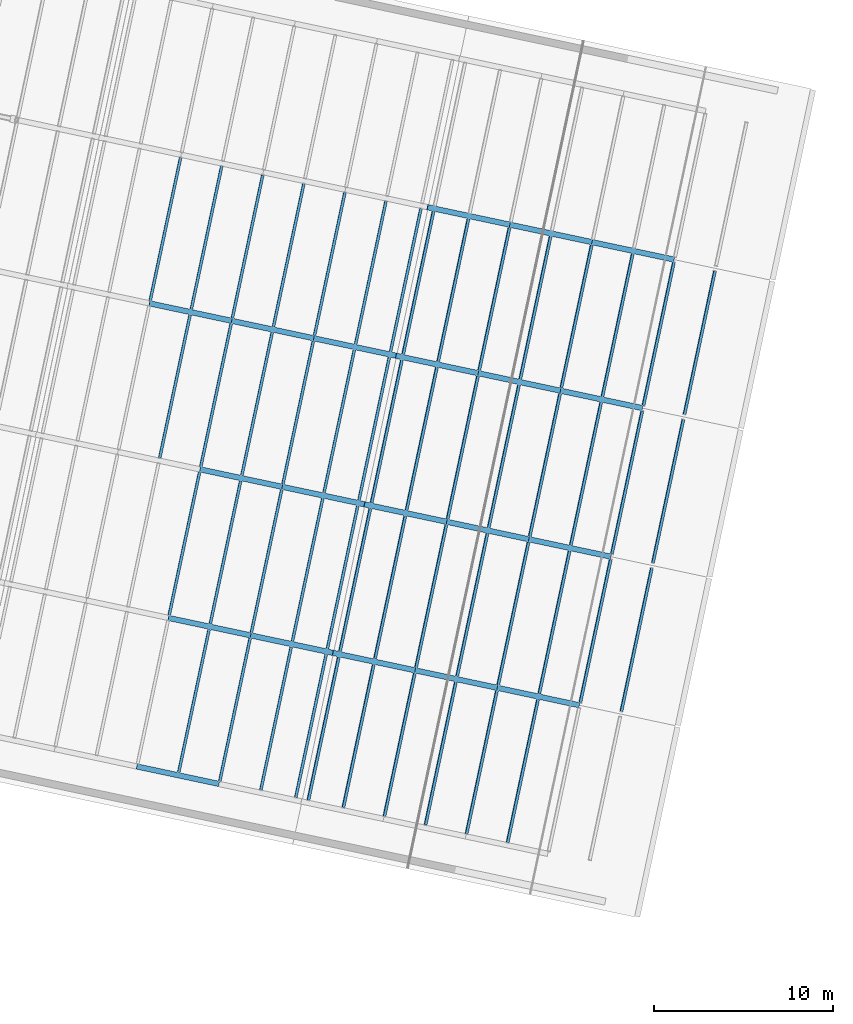
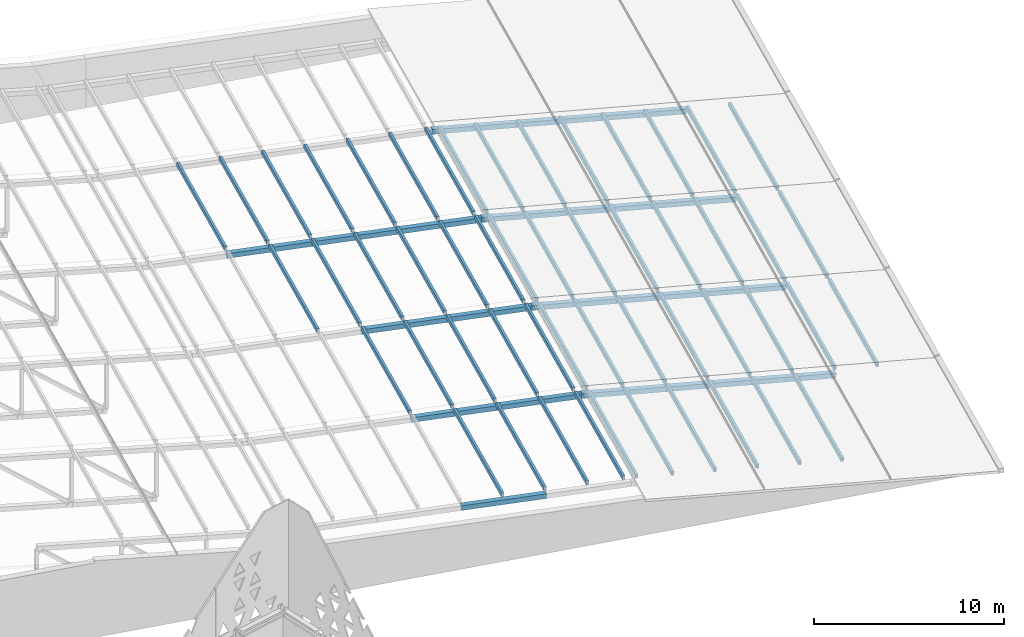
# One storey, part 54 of 196: 72 members.
"""IFC4 building model written with IfcOpenShell, lengths in metres."""

from ifc_helpers import new_model, si_unit, direction, frame, origin, origin_2d, place, context, subcontext, project, spatial, hollow_rectangle, extrude, material, material_profile, profile_set, type_object, element, save


model = new_model("IFC4")

# Units and contexts
model_context = context("Model", 3, precision=1e-05, world=origin(), true_north=direction((0.0, 1.0)))
body_context = subcontext(model_context, "Body", "Model", "MODEL_VIEW")
ifc_project = project(units=[si_unit("LENGTHUNIT", "METRE"), si_unit("AREAUNIT", "SQUARE_METRE"), si_unit("VOLUMEUNIT", "CUBIC_METRE"), si_unit("PLANEANGLEUNIT", "RADIAN"), si_unit("MASSUNIT", "GRAM", prefix="KILO")], contexts=[model_context])

# Site, building, storey
site_placement = place(None, origin())
site = spatial("IfcSite", under=ifc_project, at=site_placement, CompositionType="ELEMENT")
building_placement = place(site_placement, origin())
building = spatial("IfcBuilding", under=site, at=building_placement, Name="Okhra Congress Centre", CompositionType="ELEMENT")
storey_placement = place(building_placement, frame((0.0, 0.0, 12.0)))
storey = spatial("IfcBuildingStorey", under=building, at=storey_placement, Name="L02", CompositionType="ELEMENT", Elevation=12.0)

# Members
ifc_material = material(Name="Steel S355J2", Category="steel")
ifc_material_profile_1 = material_profile(ifc_material, hollow_rectangle(XDim=0.14990234375, YDim=0.25, WallThickness=0.008056640625, at=origin_2d()), Name="RHS 250x150x8")
ifc_profile_set_1 = profile_set([ifc_material_profile_1], Name="Steel S355J2")
member_type_1 = type_object("IfcMemberType", Name="Steel roof purlin RHS 250x150x8", PredefinedType="PURLIN", material=ifc_profile_set_1)
member_1_placement = place(storey_placement, frame((229.87744140625, 89.46630859375, 2.6025390625), z_axis=(0.207908251916, 0.978148331689, 0.0), x_axis=(-0.976807813395, 0.207623320882, 0.052335956243)))
element("IfcMember", 1, at=member_1_placement, inside=storey, type_object=member_type_1, Name="Roof purlin 1.15", PredefinedType="PURLIN", context=body_context, shape_type="SweptSolid", body=[
    extrude(hollow_rectangle(XDim=0.14990234375, YDim=0.25, WallThickness=0.008056640625, at=origin_2d()), origin(), (0.0, 0.0, 1.0), 8.199951171875),
])
member_2_placement = place(storey_placement, frame((232.176025390625, 88.9775390625, 2.479248046875), z_axis=(0.2079021972, 0.978149618616, 0.0), x_axis=(-0.976809098559, 0.207617274464, 0.052335956243)))
element("IfcMember", 2, at=member_2_placement, inside=storey, type_object=member_type_1, Name="Roof purlin 1.16", PredefinedType="PURLIN", context=body_context, shape_type="SweptSolid", body=[
    extrude(hollow_rectangle(XDim=0.14990234375, YDim=0.25, WallThickness=0.008056640625, at=origin_2d()), origin(), (0.0, 0.0, 1.0), 8.2001953125),
])
for number, where, z_axis, x_axis, name in (
    (3, (234.474609375, 88.489013671875, 2.356201171875), (0.207908251916, 0.978148331689, 0.0), (-0.976807813395, 0.207623320882, 0.052335956243), "Roof purlin 1.17"),
    (4, (236.430908203125, 88.0732421875, 2.251220703125), (0.207908251916, 0.978148331689, 0.0), (-0.976807813395, 0.207623320882, 0.052335956243), "Roof purlin 1.18"),
    (5, (237.13427734375, 87.923828125, 2.188232421875), (0.207936738153, 0.978142276423, 0.0), (-0.970851352222, 0.206386809239, 0.121869343405), "Roof purlin 1.19"),
):
    element("IfcMember", number, at=place(storey_placement, frame(where, z_axis=z_axis, x_axis=x_axis)), inside=storey, type_object=member_type_1, Name=name, PredefinedType="PURLIN", context=body_context, shape_type="SweptSolid", body=[
        extrude(hollow_rectangle(XDim=0.14990234375, YDim=0.25, WallThickness=0.008056640625, at=origin_2d()), origin(), (0.0, 0.0, 1.0), 8.199951171875),
    ])
member_3_placement = place(storey_placement, frame((239.090576171875, 87.5078125, 1.94287109375), z_axis=(0.207930682682, 0.978143563696, 0.0), x_axis=(-0.970852629899, 0.206380798905, 0.121869343405)))
element("IfcMember", 6, at=member_3_placement, inside=storey, type_object=member_type_1, Name="Roof purlin 1.20", PredefinedType="PURLIN", context=body_context, shape_type="SweptSolid", body=[
    extrude(hollow_rectangle(XDim=0.14990234375, YDim=0.25, WallThickness=0.008056640625, at=origin_2d()), origin(), (0.0, 0.0, 1.0), 8.2001953125),
])
for number, where, z_axis, x_axis, name in (
    (7, (241.389404296875, 87.019287109375, 1.654296875), (0.207908251916, 0.978148331689, 0.0), (-0.970857362352, 0.206358535333, 0.121869343405), "Roof purlin 1.21"),
    (8, (243.68798828125, 86.53076171875, 1.36572265625), (0.207908251916, 0.978148331689, 0.0), (-0.970857362352, 0.206358535333, 0.121869343405), "Roof purlin 1.22"),
    (9, (245.986572265625, 86.042236328125, 1.0771484375), (0.207908251916, 0.978148331689, 0.0), (-0.970857362352, 0.206358535333, 0.121869343405), "Roof purlin 1.23"),
):
    element("IfcMember", number, at=place(storey_placement, frame(where, z_axis=z_axis, x_axis=x_axis)), inside=storey, type_object=member_type_1, Name=name, PredefinedType="PURLIN", context=body_context, shape_type="SweptSolid", body=[
        extrude(hollow_rectangle(XDim=0.14990234375, YDim=0.25, WallThickness=0.008056640625, at=origin_2d()), origin(), (0.0, 0.0, 1.0), 8.199951171875),
    ])
member_4_placement = place(storey_placement, frame((248.28515625, 85.553466796875, 0.78857421875), z_axis=(0.207930682682, 0.978143563696, 0.0), x_axis=(-0.970852629899, 0.206380798905, 0.121869343405)))
element("IfcMember", 10, at=member_4_placement, inside=storey, type_object=member_type_1, Name="Roof purlin 1.24", PredefinedType="PURLIN", context=body_context, shape_type="SweptSolid", body=[
    extrude(hollow_rectangle(XDim=0.14990234375, YDim=0.25, WallThickness=0.008056640625, at=origin_2d()), origin(), (0.0, 0.0, 1.0), 8.2001953125),
])
for number, where, z_axis, x_axis, name in (
    (11, (229.345947265625, 98.26904296875, 2.7255859375), (0.207908251916, 0.978148331689, 0.0), (-0.976807813395, 0.207623320882, 0.052335956243), "Roof purlin 2.14"),
    (12, (231.64453125, 97.780517578125, 2.6025390625), (0.207936738153, 0.978142276423, 0.0), (-0.976801766428, 0.20765176808, 0.052335956243), "Roof purlin 2.15"),
    (13, (233.943359375, 97.2919921875, 2.479248046875), (0.207908251916, 0.978148331689, 0.0), (-0.976807813395, 0.207623320882, 0.052335956243), "Roof purlin 2.16"),
):
    element("IfcMember", number, at=place(storey_placement, frame(where, z_axis=z_axis, x_axis=x_axis)), inside=storey, type_object=member_type_1, Name=name, PredefinedType="PURLIN", context=body_context, shape_type="SweptSolid", body=[
        extrude(hollow_rectangle(XDim=0.14990234375, YDim=0.25, WallThickness=0.008056640625, at=origin_2d()), origin(), (0.0, 0.0, 1.0), 8.199951171875),
    ])
member_5_placement = place(storey_placement, frame((236.241943359375, 96.80322265625, 2.356201171875), z_axis=(0.2079021972, 0.978149618616, 0.0), x_axis=(-0.976809098559, 0.207617274464, 0.052335956243)))
element("IfcMember", 14, at=member_5_placement, inside=storey, type_object=member_type_1, Name="Roof purlin 2.17", PredefinedType="PURLIN", context=body_context, shape_type="SweptSolid", body=[
    extrude(hollow_rectangle(XDim=0.14990234375, YDim=0.25, WallThickness=0.008056640625, at=origin_2d()), origin(), (0.0, 0.0, 1.0), 8.2001953125),
])
for number, where, z_axis, x_axis, name in (
    (15, (238.1982421875, 96.387451171875, 2.251220703125), (0.207908251916, 0.978148331689, 0.0), (-0.976807813395, 0.207623320882, 0.052335956243), "Roof purlin 2.18"),
    (16, (238.901611328125, 96.238037109375, 2.188232421875), (0.207908251916, 0.978148331689, 0.0), (-0.970857362352, 0.206358535333, 0.121869343405), "Roof purlin 2.19"),
    (17, (240.85791015625, 95.822265625, 1.94287109375), (0.207908251916, 0.978148331689, 0.0), (-0.970857362352, 0.206358535333, 0.121869343405), "Roof purlin 2.20"),
):
    element("IfcMember", number, at=place(storey_placement, frame(where, z_axis=z_axis, x_axis=x_axis)), inside=storey, type_object=member_type_1, Name=name, PredefinedType="PURLIN", context=body_context, shape_type="SweptSolid", body=[
        extrude(hollow_rectangle(XDim=0.14990234375, YDim=0.25, WallThickness=0.008056640625, at=origin_2d()), origin(), (0.0, 0.0, 1.0), 8.199951171875),
    ])
member_6_placement = place(storey_placement, frame((243.156494140625, 95.33349609375, 1.654296875), z_axis=(0.2079021972, 0.978149618616, 0.0), x_axis=(-0.970858639687, 0.206352525748, 0.121869343405)))
element("IfcMember", 18, at=member_6_placement, inside=storey, type_object=member_type_1, Name="Roof purlin 2.21", PredefinedType="PURLIN", context=body_context, shape_type="SweptSolid", body=[
    extrude(hollow_rectangle(XDim=0.14990234375, YDim=0.25, WallThickness=0.008056640625, at=origin_2d()), origin(), (0.0, 0.0, 1.0), 8.2001953125),
])
for number, where, z_axis, x_axis, name in (
    (19, (245.455078125, 94.844970703125, 1.36572265625), (0.207936738153, 0.978142276423, 0.0), (-0.970851352222, 0.206386809239, 0.121869343405), "Roof purlin 2.22"),
    (20, (247.75390625, 94.3564453125, 1.0771484375), (0.207908251916, 0.978148331689, 0.0), (-0.970857362352, 0.206358535333, 0.121869343405), "Roof purlin 2.23"),
):
    element("IfcMember", number, at=place(storey_placement, frame(where, z_axis=z_axis, x_axis=x_axis)), inside=storey, type_object=member_type_1, Name=name, PredefinedType="PURLIN", context=body_context, shape_type="SweptSolid", body=[
        extrude(hollow_rectangle(XDim=0.14990234375, YDim=0.25, WallThickness=0.008056640625, at=origin_2d()), origin(), (0.0, 0.0, 1.0), 8.199951171875),
    ])
member_7_placement = place(storey_placement, frame((250.052490234375, 93.86767578125, 0.78857421875), z_axis=(0.2079021972, 0.978149618616, 0.0), x_axis=(-0.970858639687, 0.206352525748, 0.121869343405)))
element("IfcMember", 21, at=member_7_placement, inside=storey, type_object=member_type_1, Name="Roof purlin 2.24", PredefinedType="PURLIN", context=body_context, shape_type="SweptSolid", body=[
    extrude(hollow_rectangle(XDim=0.14990234375, YDim=0.25, WallThickness=0.008056640625, at=origin_2d()), origin(), (0.0, 0.0, 1.0), 8.2001953125),
])
for number, where, z_axis, x_axis, name in (
    (22, (252.35107421875, 93.379150390625, 0.5), (0.207908251916, 0.978148331689, 0.0), (-0.970857362352, 0.206358535333, 0.121869343405), "Roof purlin 2.25"),
    (23, (254.64990234375, 92.890625, 0.21142578125), (0.207908251916, 0.978148331689, 0.0), (-0.970857362352, 0.206358535333, 0.121869343405), "Roof purlin 2.26"),
    (24, (228.814453125, 107.072021484375, 2.848876953125), (0.207936738153, 0.978142276423, 0.0), (-0.976801766428, 0.20765176808, 0.052335956243), "Roof purlin 3.13"),
):
    element("IfcMember", number, at=place(storey_placement, frame(where, z_axis=z_axis, x_axis=x_axis)), inside=storey, type_object=member_type_1, Name=name, PredefinedType="PURLIN", context=body_context, shape_type="SweptSolid", body=[
        extrude(hollow_rectangle(XDim=0.14990234375, YDim=0.25, WallThickness=0.008056640625, at=origin_2d()), origin(), (0.0, 0.0, 1.0), 8.199951171875),
    ])
member_8_placement = place(storey_placement, frame((231.11328125, 106.583251953125, 2.7255859375), z_axis=(0.2079021972, 0.978149618616, 0.0), x_axis=(-0.976809098559, 0.207617274464, 0.052335956243)))
element("IfcMember", 25, at=member_8_placement, inside=storey, type_object=member_type_1, Name="Roof purlin 3.14", PredefinedType="PURLIN", context=body_context, shape_type="SweptSolid", body=[
    extrude(hollow_rectangle(XDim=0.14990234375, YDim=0.25, WallThickness=0.008056640625, at=origin_2d()), origin(), (0.0, 0.0, 1.0), 8.2001953125),
])
for number, where, z_axis, x_axis, name in (
    (26, (233.411865234375, 106.0947265625, 2.6025390625), (0.207908251916, 0.978148331689, 0.0), (-0.976807813395, 0.207623320882, 0.052335956243), "Roof purlin 3.15"),
    (27, (235.71044921875, 105.606201171875, 2.479248046875), (0.207908251916, 0.978148331689, 0.0), (-0.976807813395, 0.207623320882, 0.052335956243), "Roof purlin 3.16"),
    (28, (238.00927734375, 105.11767578125, 2.356201171875), (0.207908251916, 0.978148331689, 0.0), (-0.976807813395, 0.207623320882, 0.052335956243), "Roof purlin 3.17"),
):
    element("IfcMember", number, at=place(storey_placement, frame(where, z_axis=z_axis, x_axis=x_axis)), inside=storey, type_object=member_type_1, Name=name, PredefinedType="PURLIN", context=body_context, shape_type="SweptSolid", body=[
        extrude(hollow_rectangle(XDim=0.14990234375, YDim=0.25, WallThickness=0.008056640625, at=origin_2d()), origin(), (0.0, 0.0, 1.0), 8.199951171875),
    ])
member_9_placement = place(storey_placement, frame((239.96533203125, 104.70166015625, 2.251220703125), z_axis=(0.207930682682, 0.978143563696, 0.0), x_axis=(-0.976803051937, 0.207645720908, 0.052335956243)))
element("IfcMember", 29, at=member_9_placement, inside=storey, type_object=member_type_1, Name="Roof purlin 3.18", PredefinedType="PURLIN", context=body_context, shape_type="SweptSolid", body=[
    extrude(hollow_rectangle(XDim=0.14990234375, YDim=0.25, WallThickness=0.008056640625, at=origin_2d()), origin(), (0.0, 0.0, 1.0), 8.2001953125),
])
for number, where, z_axis, x_axis, name in (
    (30, (240.6689453125, 104.55224609375, 2.188232421875), (0.207908251916, 0.978148331689, 0.0), (-0.970857362352, 0.206358535333, 0.121869343405), "Roof purlin 3.19"),
    (31, (242.625244140625, 104.136474609375, 1.94287109375), (0.207908251916, 0.978148331689, 0.0), (-0.970857362352, 0.206358535333, 0.121869343405), "Roof purlin 3.20"),
):
    element("IfcMember", number, at=place(storey_placement, frame(where, z_axis=z_axis, x_axis=x_axis)), inside=storey, type_object=member_type_1, Name=name, PredefinedType="PURLIN", context=body_context, shape_type="SweptSolid", body=[
        extrude(hollow_rectangle(XDim=0.14990234375, YDim=0.25, WallThickness=0.008056640625, at=origin_2d()), origin(), (0.0, 0.0, 1.0), 8.199951171875),
    ])
member_10_placement = place(storey_placement, frame((244.923828125, 103.647705078125, 1.654296875), z_axis=(0.2079021972, 0.978149618616, 0.0), x_axis=(-0.970858639687, 0.206352525748, 0.121869343405)))
element("IfcMember", 32, at=member_10_placement, inside=storey, type_object=member_type_1, Name="Roof purlin 3.21", PredefinedType="PURLIN", context=body_context, shape_type="SweptSolid", body=[
    extrude(hollow_rectangle(XDim=0.14990234375, YDim=0.25, WallThickness=0.008056640625, at=origin_2d()), origin(), (0.0, 0.0, 1.0), 8.2001953125),
])
for number, where, z_axis, x_axis, name in (
    (33, (247.222412109375, 103.1591796875, 1.36572265625), (0.207908251916, 0.978148331689, 0.0), (-0.970857362352, 0.206358535333, 0.121869343405), "Roof purlin 3.22"),
    (34, (249.52099609375, 102.670654296875, 1.0771484375), (0.207936738153, 0.978142276423, 0.0), (-0.970851352222, 0.206386809239, 0.121869343405), "Roof purlin 3.23"),
    (35, (251.81982421875, 102.18212890625, 0.78857421875), (0.207908251916, 0.978148331689, 0.0), (-0.970857362352, 0.206358535333, 0.121869343405), "Roof purlin 3.24"),
):
    element("IfcMember", number, at=place(storey_placement, frame(where, z_axis=z_axis, x_axis=x_axis)), inside=storey, type_object=member_type_1, Name=name, PredefinedType="PURLIN", context=body_context, shape_type="SweptSolid", body=[
        extrude(hollow_rectangle(XDim=0.14990234375, YDim=0.25, WallThickness=0.008056640625, at=origin_2d()), origin(), (0.0, 0.0, 1.0), 8.199951171875),
    ])
member_11_placement = place(storey_placement, frame((254.118408203125, 101.693359375, 0.5), z_axis=(0.2079021972, 0.978149618616, 0.0), x_axis=(-0.970858639687, 0.206352525748, 0.121869343405)))
element("IfcMember", 36, at=member_11_placement, inside=storey, type_object=member_type_1, Name="Roof purlin 3.25", PredefinedType="PURLIN", context=body_context, shape_type="SweptSolid", body=[
    extrude(hollow_rectangle(XDim=0.14990234375, YDim=0.25, WallThickness=0.008056640625, at=origin_2d()), origin(), (0.0, 0.0, 1.0), 8.2001953125),
])
for number, where, z_axis, x_axis, name in (
    (37, (256.4169921875, 101.204833984375, 0.21142578125), (0.207908251916, 0.978148331689, 0.0), (-0.970857362352, 0.206358535333, 0.121869343405), "Roof purlin 3.26"),
    (38, (228.283203125, 115.874755859375, 2.971923828125), (0.207908251916, 0.978148331689, 0.0), (-0.976807813395, 0.207623320882, 0.052335956243), "Roof purlin 4.12"),
    (39, (230.581787109375, 115.38623046875, 2.848876953125), (0.207908251916, 0.978148331689, 0.0), (-0.976807813395, 0.207623320882, 0.052335956243), "Roof purlin 4.13"),
    (40, (232.88037109375, 114.897705078125, 2.7255859375), (0.207936738153, 0.978142276423, 0.0), (-0.976801766428, 0.20765176808, 0.052335956243), "Roof purlin 4.14"),
):
    element("IfcMember", number, at=place(storey_placement, frame(where, z_axis=z_axis, x_axis=x_axis)), inside=storey, type_object=member_type_1, Name=name, PredefinedType="PURLIN", context=body_context, shape_type="SweptSolid", body=[
        extrude(hollow_rectangle(XDim=0.14990234375, YDim=0.25, WallThickness=0.008056640625, at=origin_2d()), origin(), (0.0, 0.0, 1.0), 8.199951171875),
    ])
member_12_placement = place(storey_placement, frame((235.17919921875, 114.408935546875, 2.6025390625), z_axis=(0.2079021972, 0.978149618616, 0.0), x_axis=(-0.976809098559, 0.207617274464, 0.052335956243)))
element("IfcMember", 41, at=member_12_placement, inside=storey, type_object=member_type_1, Name="Roof purlin 4.15", PredefinedType="PURLIN", context=body_context, shape_type="SweptSolid", body=[
    extrude(hollow_rectangle(XDim=0.14990234375, YDim=0.25, WallThickness=0.008056640625, at=origin_2d()), origin(), (0.0, 0.0, 1.0), 8.2001953125),
])
for number, where, z_axis, x_axis, name in (
    (42, (237.477783203125, 113.92041015625, 2.479248046875), (0.207908251916, 0.978148331689, 0.0), (-0.976807813395, 0.207623320882, 0.052335956243), "Roof purlin 4.16"),
    (43, (239.7763671875, 113.431884765625, 2.356201171875), (0.207908251916, 0.978148331689, 0.0), (-0.976807813395, 0.207623320882, 0.052335956243), "Roof purlin 4.17"),
    (44, (241.732666015625, 113.01611328125, 2.251220703125), (0.207908251916, 0.978148331689, 0.0), (-0.976807813395, 0.207623320882, 0.052335956243), "Roof purlin 4.18"),
    (45, (242.43603515625, 112.866455078125, 2.188232421875), (0.207908251916, 0.978148331689, 0.0), (-0.970857362352, 0.206358535333, 0.121869343405), "Roof purlin 4.19"),
    (46, (244.392333984375, 112.45068359375, 1.94287109375), (0.207908251916, 0.978148331689, 0.0), (-0.970857362352, 0.206358535333, 0.121869343405), "Roof purlin 4.20"),
    (47, (246.691162109375, 111.962158203125, 1.654296875), (0.207908251916, 0.978148331689, 0.0), (-0.970857362352, 0.206358535333, 0.121869343405), "Roof purlin 4.21"),
):
    element("IfcMember", number, at=place(storey_placement, frame(where, z_axis=z_axis, x_axis=x_axis)), inside=storey, type_object=member_type_1, Name=name, PredefinedType="PURLIN", context=body_context, shape_type="SweptSolid", body=[
        extrude(hollow_rectangle(XDim=0.14990234375, YDim=0.25, WallThickness=0.008056640625, at=origin_2d()), origin(), (0.0, 0.0, 1.0), 8.199951171875),
    ])
member_13_placement = place(storey_placement, frame((248.98974609375, 111.473388671875, 1.36572265625), z_axis=(0.2079021972, 0.978149618616, 0.0), x_axis=(-0.970858639687, 0.206352525748, 0.121869343405)))
element("IfcMember", 48, at=member_13_placement, inside=storey, type_object=member_type_1, Name="Roof purlin 4.22", PredefinedType="PURLIN", context=body_context, shape_type="SweptSolid", body=[
    extrude(hollow_rectangle(XDim=0.14990234375, YDim=0.25, WallThickness=0.008056640625, at=origin_2d()), origin(), (0.0, 0.0, 1.0), 8.2001953125),
])
for number, where, z_axis, x_axis, name in (
    (49, (251.288330078125, 110.98486328125, 1.0771484375), (0.207908251916, 0.978148331689, 0.0), (-0.970857362352, 0.206358535333, 0.121869343405), "Roof purlin 4.23"),
    (50, (253.5869140625, 110.496337890625, 0.78857421875), (0.207908251916, 0.978148331689, 0.0), (-0.970857362352, 0.206358535333, 0.121869343405), "Roof purlin 4.24"),
    (51, (255.8857421875, 110.0078125, 0.5), (0.207908251916, 0.978148331689, 0.0), (-0.970857362352, 0.206358535333, 0.121869343405), "Roof purlin 4.25"),
):
    element("IfcMember", number, at=place(storey_placement, frame(where, z_axis=z_axis, x_axis=x_axis)), inside=storey, type_object=member_type_1, Name=name, PredefinedType="PURLIN", context=body_context, shape_type="SweptSolid", body=[
        extrude(hollow_rectangle(XDim=0.14990234375, YDim=0.25, WallThickness=0.008056640625, at=origin_2d()), origin(), (0.0, 0.0, 1.0), 8.199951171875),
    ])
member_14_placement = place(storey_placement, frame((258.184326171875, 109.51904296875, 0.21142578125), z_axis=(0.2079021972, 0.978149618616, 0.0), x_axis=(-0.970858639687, 0.206352525748, 0.121869343405)))
element("IfcMember", 52, at=member_14_placement, inside=storey, type_object=member_type_1, Name="Roof purlin 4.26", PredefinedType="PURLIN", context=body_context, shape_type="SweptSolid", body=[
    extrude(hollow_rectangle(XDim=0.14990234375, YDim=0.25, WallThickness=0.008056640625, at=origin_2d()), origin(), (0.0, 0.0, 1.0), 8.2001953125),
])
ifc_material_profile_2 = material_profile(ifc_material, hollow_rectangle(XDim=0.300048828125, YDim=0.300048828125, WallThickness=0.01611328125, at=origin_2d()), Name="RHS 300x300x16")
ifc_profile_set_2 = profile_set([ifc_material_profile_2], Name="Steel S355J2")
member_type_2 = type_object("IfcMemberType", Name="Steel truss chord RHS 300x300x16", PredefinedType="CHORD", material=ifc_profile_set_2)
member_15_placement = place(storey_placement, frame((227.533447265625, 89.81103515625, 2.450927734375), z_axis=(0.976813785854, -0.20759432696, -0.052339499226), x_axis=(0.207879256857, 0.978154494223, 0.0)))
element("IfcMember", 53, at=member_15_placement, inside=storey, type_object=member_type_2, Name="Hall truss 1 top chord 7", PredefinedType="CHORD", context=body_context, shape_type="SweptSolid", body=[
    extrude(hollow_rectangle(XDim=0.300048828125, YDim=0.300048828125, WallThickness=0.01611328125, at=origin_2d()), origin(), (0.0, 0.0, 1.0), 4.70654296875),
])
member_16_placement = place(storey_placement, frame((229.30078125, 98.12548828125, 2.450927734375), z_axis=(0.976800887128, -0.207654484927, -0.052341587632), x_axis=(0.207939520185, 0.978141685005, 0.0)))
element("IfcMember", 54, at=member_16_placement, inside=storey, type_object=member_type_2, Name="Hall truss 2 top chord 7", PredefinedType="CHORD", context=body_context, shape_type="SweptSolid", body=[
    extrude(hollow_rectangle(XDim=0.300048828125, YDim=0.300048828125, WallThickness=0.01611328125, at=origin_2d()), origin(), (0.0, 0.0, 1.0), 4.706298828125),
])
member_17_placement = place(storey_placement, frame((233.89794921875, 97.148193359375, 2.20458984375), z_axis=(0.976803265923, -0.207643963331, -0.052338935549), x_axis=(0.207928955205, 0.978143930916, 0.0)))
element("IfcMember", 55, at=member_17_placement, inside=storey, type_object=member_type_2, Name="Hall truss 2 top chord 8", PredefinedType="CHORD", context=body_context, shape_type="SweptSolid", body=[
    extrude(hollow_rectangle(XDim=0.300048828125, YDim=0.300048828125, WallThickness=0.01611328125, at=origin_2d()), origin(), (0.0, 0.0, 1.0), 4.70654296875),
])
member_18_placement = place(storey_placement, frame((238.495361328125, 96.1708984375, 1.958251953125), z_axis=(0.970865363443, -0.206341114418, -0.121835095795), x_axis=(0.20788981954, 0.978152249362, 0.0)))
element("IfcMember", 56, at=member_18_placement, inside=storey, type_object=member_type_2, Name="Hall truss 2 top chord 9", PredefinedType="CHORD", context=body_context, shape_type="SweptSolid", body=[
    extrude(hollow_rectangle(XDim=0.300048828125, YDim=0.300048828125, WallThickness=0.01611328125, at=origin_2d()), origin(), (0.0, 0.0, 1.0), 4.735107421875),
])
member_19_placement = place(storey_placement, frame((243.092529296875, 95.19384765625, 1.38134765625), z_axis=(0.970851895595, -0.206378850729, -0.121878491912), x_axis=(0.207928955205, 0.978143930916, 0.0)))
element("IfcMember", 57, at=member_19_placement, inside=storey, type_object=member_type_2, Name="Hall truss 2 top chord 10", PredefinedType="CHORD", context=body_context, shape_type="SweptSolid", body=[
    extrude(hollow_rectangle(XDim=0.300048828125, YDim=0.300048828125, WallThickness=0.01611328125, at=origin_2d()), origin(), (0.0, 0.0, 1.0), 4.7353515625),
])
member_20_placement = place(storey_placement, frame((247.68994140625, 94.216552734375, 0.80419921875), z_axis=(0.97085926347, -0.206339817972, -0.121885889477), x_axis=(0.20788981954, 0.978152249362, 0.0)))
element("IfcMember", 58, at=member_20_placement, inside=storey, type_object=member_type_2, Name="Hall truss 2 top chord 11", PredefinedType="CHORD", context=body_context, shape_type="SweptSolid", body=[
    extrude(hollow_rectangle(XDim=0.300048828125, YDim=0.300048828125, WallThickness=0.01611328125, at=origin_2d()), origin(), (0.0, 0.0, 1.0), 4.735107421875),
])
member_21_placement = place(storey_placement, frame((231.06787109375, 106.439697265625, 2.450927734375), z_axis=(0.976803265923, -0.207643963331, -0.052338935549), x_axis=(0.207928955205, 0.978143930916, 0.0)))
element("IfcMember", 59, at=member_21_placement, inside=storey, type_object=member_type_2, Name="Hall truss 3 top chord 7", PredefinedType="CHORD", context=body_context, shape_type="SweptSolid", body=[
    extrude(hollow_rectangle(XDim=0.300048828125, YDim=0.300048828125, WallThickness=0.01611328125, at=origin_2d()), origin(), (0.0, 0.0, 1.0), 4.70654296875),
])
member_22_placement = place(storey_placement, frame((235.665283203125, 105.46240234375, 2.20458984375), z_axis=(0.9768114081, -0.207604846267, -0.052342151395), x_axis=(0.20788981954, 0.978152249362, 0.0)))
element("IfcMember", 60, at=member_22_placement, inside=storey, type_object=member_type_2, Name="Hall truss 3 top chord 8", PredefinedType="CHORD", context=body_context, shape_type="SweptSolid", body=[
    extrude(hollow_rectangle(XDim=0.300048828125, YDim=0.300048828125, WallThickness=0.01611328125, at=origin_2d()), origin(), (0.0, 0.0, 1.0), 4.706298828125),
])
member_23_placement = place(storey_placement, frame((240.262451171875, 104.4853515625, 1.958251953125), z_axis=(0.970857994782, -0.206380147263, -0.12182770122), x_axis=(0.207928955205, 0.978143930916, 0.0)))
element("IfcMember", 61, at=member_23_placement, inside=storey, type_object=member_type_2, Name="Hall truss 3 top chord 9", PredefinedType="CHORD", context=body_context, shape_type="SweptSolid", body=[
    extrude(hollow_rectangle(XDim=0.300048828125, YDim=0.300048828125, WallThickness=0.01611328125, at=origin_2d()), origin(), (0.0, 0.0, 1.0), 4.7353515625),
])
member_24_placement = place(storey_placement, frame((244.85986328125, 103.508056640625, 1.38134765625), z_axis=(0.970848933654, -0.206389181169, -0.121884592627), x_axis=(0.207939520185, 0.978141685005, 0.0)))
element("IfcMember", 62, at=member_24_placement, inside=storey, type_object=member_type_2, Name="Hall truss 3 top chord 10", PredefinedType="CHORD", context=body_context, shape_type="SweptSolid", body=[
    extrude(hollow_rectangle(XDim=0.300048828125, YDim=0.300048828125, WallThickness=0.01611328125, at=origin_2d()), origin(), (0.0, 0.0, 1.0), 4.735107421875),
])
member_25_placement = place(storey_placement, frame((249.45703125, 102.53076171875, 0.80419921875), z_axis=(0.970862224409, -0.206329489782, -0.121879788567), x_axis=(0.207879256857, 0.978154494223, 0.0)))
element("IfcMember", 63, at=member_25_placement, inside=storey, type_object=member_type_2, Name="Hall truss 3 top chord 11", PredefinedType="CHORD", context=body_context, shape_type="SweptSolid", body=[
    extrude(hollow_rectangle(XDim=0.300048828125, YDim=0.300048828125, WallThickness=0.01611328125, at=origin_2d()), origin(), (0.0, 0.0, 1.0), 4.7353515625),
])
for number, where, z_axis, x_axis, name in (
    (64, (228.23779296875, 115.73095703125, 2.697265625), (0.976813785854, -0.20759432696, -0.052339499226), (0.207879256857, 0.978154494223, 0.0), "Hall truss 4 top chord 6"),
    (65, (232.835205078125, 114.75390625, 2.450927734375), (0.976803265923, -0.207643963331, -0.052338935549), (0.207928955205, 0.978143930916, 0.0), "Hall truss 4 top chord 7"),
):
    element("IfcMember", number, at=place(storey_placement, frame(where, z_axis=z_axis, x_axis=x_axis)), inside=storey, type_object=member_type_2, Name=name, PredefinedType="CHORD", context=body_context, shape_type="SweptSolid", body=[
        extrude(hollow_rectangle(XDim=0.300048828125, YDim=0.300048828125, WallThickness=0.01611328125, at=origin_2d()), origin(), (0.0, 0.0, 1.0), 4.70654296875),
    ])
member_26_placement = place(storey_placement, frame((237.4326171875, 113.776611328125, 2.20458984375), z_axis=(0.9768114081, -0.207604846267, -0.052342151395), x_axis=(0.20788981954, 0.978152249362, 0.0)))
element("IfcMember", 66, at=member_26_placement, inside=storey, type_object=member_type_2, Name="Hall truss 4 top chord 8", PredefinedType="CHORD", context=body_context, shape_type="SweptSolid", body=[
    extrude(hollow_rectangle(XDim=0.300048828125, YDim=0.300048828125, WallThickness=0.01611328125, at=origin_2d()), origin(), (0.0, 0.0, 1.0), 4.706298828125),
])
member_27_placement = place(storey_placement, frame((242.02978515625, 112.799560546875, 1.958251953125), z_axis=(0.970857994782, -0.206380147263, -0.12182770122), x_axis=(0.207928955205, 0.978143930916, 0.0)))
element("IfcMember", 67, at=member_27_placement, inside=storey, type_object=member_type_2, Name="Hall truss 4 top chord 9", PredefinedType="CHORD", context=body_context, shape_type="SweptSolid", body=[
    extrude(hollow_rectangle(XDim=0.300048828125, YDim=0.300048828125, WallThickness=0.01611328125, at=origin_2d()), origin(), (0.0, 0.0, 1.0), 4.7353515625),
])
member_28_placement = place(storey_placement, frame((246.627197265625, 111.822265625, 1.38134765625), z_axis=(0.97085926347, -0.206339817972, -0.121885889477), x_axis=(0.20788981954, 0.978152249362, 0.0)))
element("IfcMember", 68, at=member_28_placement, inside=storey, type_object=member_type_2, Name="Hall truss 4 top chord 10", PredefinedType="CHORD", context=body_context, shape_type="SweptSolid", body=[
    extrude(hollow_rectangle(XDim=0.300048828125, YDim=0.300048828125, WallThickness=0.01611328125, at=origin_2d()), origin(), (0.0, 0.0, 1.0), 4.735107421875),
])
member_29_placement = place(storey_placement, frame((251.224365234375, 110.84521484375, 0.80419921875), z_axis=(0.970851895595, -0.206378850729, -0.121878491912), x_axis=(0.207928955205, 0.978143930916, 0.0)))
element("IfcMember", 69, at=member_29_placement, inside=storey, type_object=member_type_2, Name="Hall truss 4 top chord 11", PredefinedType="CHORD", context=body_context, shape_type="SweptSolid", body=[
    extrude(hollow_rectangle(XDim=0.300048828125, YDim=0.300048828125, WallThickness=0.01611328125, at=origin_2d()), origin(), (0.0, 0.0, 1.0), 4.7353515625),
])
member_30_placement = place(storey_placement, frame((243.797119140625, 121.11376953125, 1.958251953125), z_axis=(0.970855033432, -0.206390477898, -0.121833799469), x_axis=(0.207939520185, 0.978141685005, 0.0)))
element("IfcMember", 70, at=member_30_placement, inside=storey, type_object=member_type_2, Name="Hall truss 5 top chord 9", PredefinedType="CHORD", context=body_context, shape_type="SweptSolid", body=[
    extrude(hollow_rectangle(XDim=0.300048828125, YDim=0.300048828125, WallThickness=0.01611328125, at=origin_2d()), origin(), (0.0, 0.0, 1.0), 4.735107421875),
])
member_31_placement = place(storey_placement, frame((248.394287109375, 120.136474609375, 1.38134765625), z_axis=(0.970862224409, -0.206329489782, -0.121879788567), x_axis=(0.207879256857, 0.978154494223, 0.0)))
element("IfcMember", 71, at=member_31_placement, inside=storey, type_object=member_type_2, Name="Hall truss 5 top chord 10", PredefinedType="CHORD", context=body_context, shape_type="SweptSolid", body=[
    extrude(hollow_rectangle(XDim=0.300048828125, YDim=0.300048828125, WallThickness=0.01611328125, at=origin_2d()), origin(), (0.0, 0.0, 1.0), 4.7353515625),
])
member_32_placement = place(storey_placement, frame((252.99169921875, 119.159423828125, 0.80419921875), z_axis=(0.970848933654, -0.206389181169, -0.121884592627), x_axis=(0.207939520185, 0.978141685005, 0.0)))
element("IfcMember", 72, at=member_32_placement, inside=storey, type_object=member_type_2, Name="Hall truss 5 top chord 11", PredefinedType="CHORD", context=body_context, shape_type="SweptSolid", body=[
    extrude(hollow_rectangle(XDim=0.300048828125, YDim=0.300048828125, WallThickness=0.01611328125, at=origin_2d()), origin(), (0.0, 0.0, 1.0), 4.735107421875),
])

save(model, "model.ifc")
